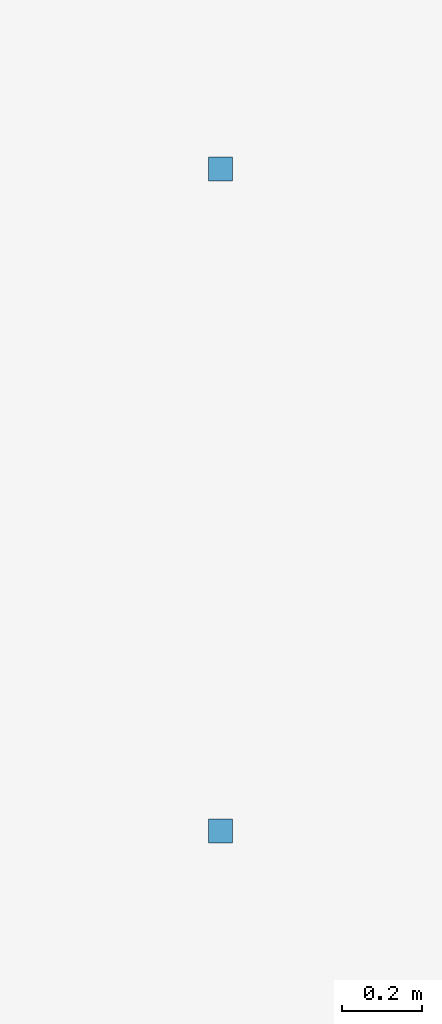
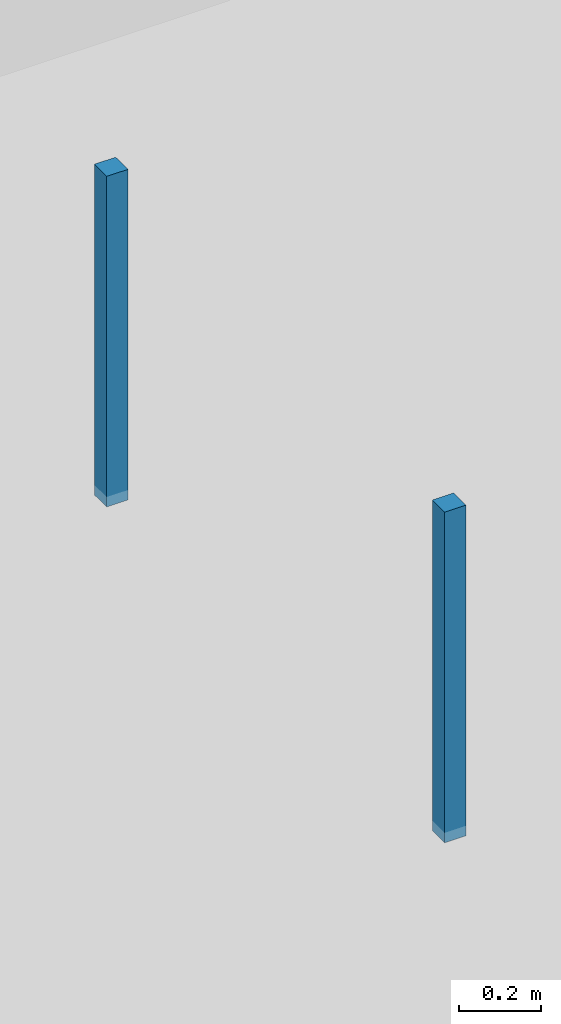
# One storey, part 84 of 140: 2 discrete accessories.
"""IFC4 building model written with IfcOpenShell, lengths in metres."""

import ifcopenshell
import ifcopenshell.guid

model = None  # the IFC model being written
_history = None  # IfcOwnerHistory: only IFC2X3 demands one
_inside = {}  # id of a spatial element -> (the spatial element, [elements in it])
_under = {}  # id of a project, library or spatial element -> (it, [spatial elements below it])
_declared = {}  # id of a project -> (the project, [libraries it declares])
_typed = {}  # id of a type object -> (the type object, [elements of that type])
_made_of = {}  # id of a material, layer set ... -> (it, [elements and type objects made of it])


def new_model(schema):
    """Start an empty IFC model of exactly this schema.

    Asked for "IFC4X3", IfcOpenShell would pick the latest addendum, in which some entities
    have other attributes; the version numbers below select the first issue.
    IFC2X3 requires an IfcOwnerHistory on every rooted entity: one is made here for all.
    """
    global model, _history
    if schema == "IFC4X3":
        model = ifcopenshell.file(schema_version=(4, 3, 0, 0))
    else:
        model = ifcopenshell.file(schema=schema)
    _inside.clear()
    _under.clear()
    _declared.clear()
    _typed.clear()
    _made_of.clear()
    _history = None
    if model.schema == "IFC2X3":
        org = make("IfcOrganization", Name="unknown")
        user = make(
            "IfcPersonAndOrganization",
            ThePerson=make("IfcPerson", FamilyName="unknown"),
            TheOrganization=org,
        )
        app = make(
            "IfcApplication",
            ApplicationDeveloper=org,
            Version="unknown",
            ApplicationFullName="unknown",
            ApplicationIdentifier="unknown",
        )
        _history = make(
            "IfcOwnerHistory",
            OwningUser=user,
            OwningApplication=app,
            ChangeAction="ADDED",
            CreationDate=0,
        )
    return model


def make(cls, **values):
    """One entity of the class cls with the attributes given. An attribute that is None is left unset."""
    return model.create_entity(
        cls, **{name: value for name, value in values.items() if value is not None}
    )


def rooted(cls, **values):
    """An entity with a GlobalId (a new one), such as an element, a storey or a relation."""
    return make(cls, GlobalId=ifcopenshell.guid.new(), OwnerHistory=_history, **values)


def si_unit(unit_type, name, prefix=None):
    """IfcSIUnit, for example si_unit("LENGTHUNIT", "METRE", prefix="MILLI")."""
    return make("IfcSIUnit", UnitType=unit_type, Prefix=prefix, Name=name)


def assignment(units):
    """IfcUnitAssignment: the units of a project."""
    return None if units is None else make("IfcUnitAssignment", Units=units)


def point(xyz):
    """IfcCartesianPoint."""
    return None if xyz is None else make("IfcCartesianPoint", Coordinates=xyz)


def direction(xyz):
    """IfcDirection."""
    return None if xyz is None else make("IfcDirection", DirectionRatios=xyz)


def frame(location, z_axis=None, x_axis=None):
    """IfcAxis2Placement3D, a coordinate frame: its origin and axes. An axis left out is left unset."""
    return make(
        "IfcAxis2Placement3D",
        Location=point(location),
        Axis=direction(z_axis),
        RefDirection=direction(x_axis),
    )


def frame_2d(location, x_axis=None):
    """IfcAxis2Placement2D, a coordinate frame in the plane: its origin and x axis."""
    return make(
        "IfcAxis2Placement2D", Location=point(location), RefDirection=direction(x_axis)
    )


def origin():
    """The frame at (0, 0, 0) with its axes left unset."""
    return frame((0.0, 0.0, 0.0))


def origin_2d():
    """The frame at (0, 0) in the plane with its x axis left unset."""
    return frame_2d((0.0, 0.0))


def place(relative_to, where):
    """IfcLocalPlacement: puts the frame where relative to a parent placement (None: the world)."""
    return make(
        "IfcLocalPlacement", PlacementRelTo=relative_to, RelativePlacement=where
    )


def context(
    kind, dimensions, precision=None, world=None, true_north=None, identifier=None
):
    """IfcGeometricRepresentationContext, for example the 3D "Model" context."""
    return make(
        "IfcGeometricRepresentationContext",
        ContextIdentifier=identifier,
        ContextType=kind,
        CoordinateSpaceDimension=dimensions,
        Precision=precision,
        WorldCoordinateSystem=world,
        TrueNorth=true_north,
    )


def subcontext(parent, identifier, kind, view, scale=None):
    """IfcGeometricRepresentationSubContext, for example "Body" below "Model"."""
    return make(
        "IfcGeometricRepresentationSubContext",
        ContextIdentifier=identifier,
        ContextType=kind,
        ParentContext=parent,
        TargetScale=scale,
        TargetView=view,
    )


def project(units=None, contexts=None):
    """IfcProject with its units and contexts."""
    return rooted(
        "IfcProject",
        Name="project",
        RepresentationContexts=contexts,
        UnitsInContext=assignment(units),
    )


def spatial(cls, under=None, at=None, **own):
    """A site, building, storey or space (cls), placed at a placement, below another one or the project."""
    s = rooted(cls, ObjectPlacement=at, **own)
    if under is not None:
        _under.setdefault(under.id(), (under, []))[1].append(s)
    return s


def profile(cls, at=None, kind="AREA", **sizes):
    """A parametric profile (cls). Its sizes go by their IFC names, for example OverallWidth=200.0."""
    return make(cls, ProfileType=kind, Position=at, **sizes)


def rectangle(**sizes):
    """IfcRectangleProfileDef."""
    return profile("IfcRectangleProfileDef", **sizes)


def extrude(swept, where, along, depth):
    """IfcExtrudedAreaSolid: the profile swept, set in the frame where, extruded along a direction by depth."""
    return make(
        "IfcExtrudedAreaSolid",
        SweptArea=swept,
        Position=where,
        ExtrudedDirection=direction(along),
        Depth=depth,
    )


def shape(context_of_items, identifier, shape_type, items):
    """IfcShapeRepresentation: the items that make up one representation, for example the "Body"."""
    return make(
        "IfcShapeRepresentation",
        ContextOfItems=context_of_items,
        RepresentationIdentifier=identifier,
        RepresentationType=shape_type,
        Items=items,
    )


def material(Name=None, Category=None):
    """IfcMaterial."""
    return make("IfcMaterial", Name=Name, Category=Category)


def made_of(thing, what):
    """Note that an element or type object is made of a material, layer set ...; save() writes the relation."""
    if what is not None:
        _made_of.setdefault(what.id(), (what, []))[1].append(thing)
    return thing


def type_object(cls, material=None, **own):
    """A type object (cls), such as IfcWallType, which elements share."""
    return made_of(rooted(cls, **own), material)


def element(
    cls,
    number,
    at=None,
    inside=None,
    cuts=None,
    type_object=None,
    material=None,
    context=None,
    identifier="Body",
    shape_type=None,
    held_by="IfcProductDefinitionShape",
    body=None,
    shapes=None,
    **own,
):
    """One element of the class cls, such as IfcWall. Its Tag is "e" and its number.

    at: its placement. inside: the storey or other place that contains it. cuts: it is an
    opening in that element (IfcRelVoidsElement). A single representation is given by context,
    identifier, shape_type and body (its items); several are given by shapes. held_by: the class
    of the entity that holds the representations. save() writes the other relations.
    """
    e = rooted(cls, Tag="e%d" % number, ObjectPlacement=at, **own)
    if body is not None:
        shapes = [shape(context, identifier, shape_type, body)]
    if shapes is not None:
        e.Representation = make(held_by, Representations=shapes)
    if inside is not None:
        _inside.setdefault(inside.id(), (inside, []))[1].append(e)
    if cuts is not None:
        rooted(
            "IfcRelVoidsElement", RelatingBuildingElement=cuts, RelatedOpeningElement=e
        )
    if type_object is not None:
        _typed.setdefault(type_object.id(), (type_object, []))[1].append(e)
    return made_of(e, material)


def aggregate(whole, parts):
    """IfcRelAggregates: a whole, such as a stair, and the parts it consists of."""
    return rooted("IfcRelAggregates", RelatingObject=whole, RelatedObjects=parts)


def save(model, path):
    """Write the relations noted so far, then the file.

    IfcRelAggregates (storeys below a building ...), IfcRelContainedInSpatialStructure (elements
    in a storey), IfcRelDefinesByType, IfcRelAssociatesMaterial and IfcRelDeclares: one each for
    every whole, place, type object, material and project.
    """
    for whole, parts in _under.values():
        aggregate(whole, parts)
    for where, things in _inside.values():
        rooted(
            "IfcRelContainedInSpatialStructure",
            RelatedElements=things,
            RelatingStructure=where,
        )
    for kind, things in _typed.values():
        rooted("IfcRelDefinesByType", RelatedObjects=things, RelatingType=kind)
    for what, things in _made_of.values():
        rooted("IfcRelAssociatesMaterial", RelatedObjects=things, RelatingMaterial=what)
    for by, libraries in _declared.values():
        rooted("IfcRelDeclares", RelatingContext=by, RelatedDefinitions=libraries)
    model.write(path)


model = new_model("IFC4")

# Units and contexts
model_context = context("Model", 3, precision=1e-05, world=origin(), true_north=direction((0.0, 1.0)))
body_context = subcontext(model_context, "Body", "Model", "MODEL_VIEW")
ifc_project = project(units=[si_unit("LENGTHUNIT", "METRE"), si_unit("AREAUNIT", "SQUARE_METRE"), si_unit("VOLUMEUNIT", "CUBIC_METRE"), si_unit("PLANEANGLEUNIT", "RADIAN"), si_unit("MASSUNIT", "GRAM", prefix="KILO")], contexts=[model_context])

# Site, building, storey
site_placement = place(None, origin())
site = spatial("IfcSite", under=ifc_project, at=site_placement, CompositionType="ELEMENT")
building_placement = place(site_placement, origin())
building = spatial("IfcBuilding", under=site, at=building_placement, Name="Telukmera Botanical Conservatory", CompositionType="ELEMENT")
storey_placement = place(building_placement, origin())
storey = spatial("IfcBuildingStorey", under=building, at=storey_placement, Name="L00", CompositionType="ELEMENT", Elevation=0.0)

# Discrete accessories
ifc_material = material(Name="Steel S355", Category="steel")
discrete_accessory_type = type_object("IfcDiscreteAccessoryType", Name="ACC-CEIL-HGR", PredefinedType="BRACKET", material=ifc_material)
for number, where, z_axis, x_axis, name in (
    (1, (90.449951171875, 18.85009765625, 4.2197265625), (0.0, 0.0, 1.0), (1.0, 0.0, 0.0), "L00 Suspended Ceiling Hanger Rod 081-1"),
    (2, (90.449951171875, 20.5, 4.2197265625), (0.0, 0.0, 1.0), (1.0, 0.0, 0.0), "L00 Suspended Ceiling Hanger Rod 081-2"),
):
    element("IfcDiscreteAccessory", number, at=place(storey_placement, frame(where, z_axis=z_axis, x_axis=x_axis)), inside=storey, type_object=discrete_accessory_type, Name=name, PredefinedType="BRACKET", context=body_context, shape_type="SweptSolid", body=[
        extrude(rectangle(XDim=0.06005859375, YDim=0.06005859375, at=origin_2d()), origin(), (0.0, 0.0, 1.0), 0.985107421875),
    ])

save(model, "model.ifc")
